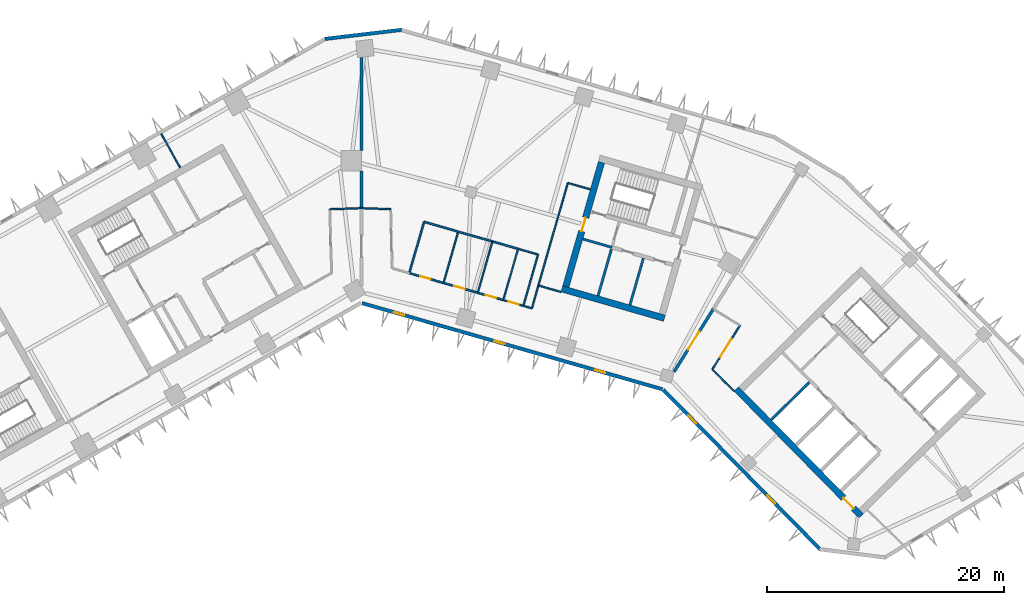
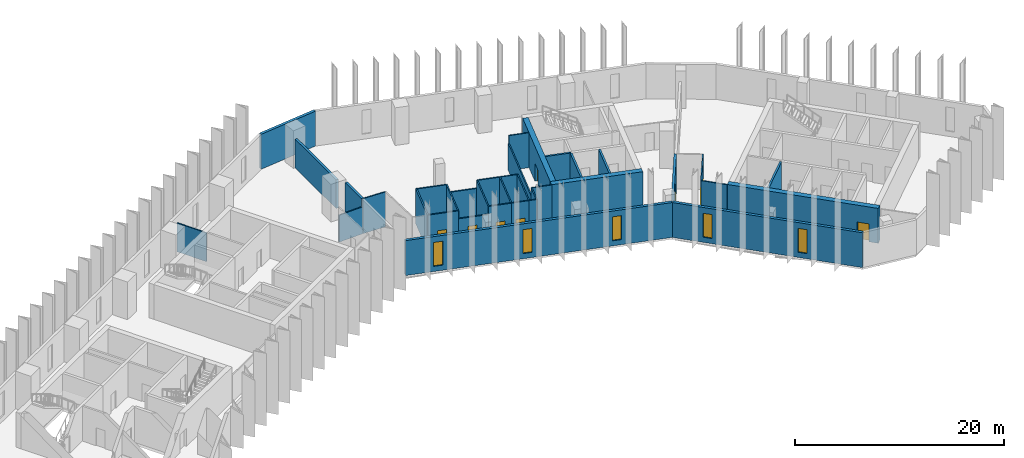
# One storey, part 5 of 11: 36 walls, 8 doors, 5 windows, 13 openings.
"""IFC4 building model written with IfcOpenShell, lengths in metres."""

from ifc_helpers import new_model, si_unit, direction, frame, frame_2d, origin, place, context, subcontext, project, spatial, rectangle, extrude, material, layer, layer_set, type_object, element, fill, save


model = new_model("IFC4")

# Units and contexts
model_context = context("Model", 3, precision=1e-05, world=origin(), true_north=direction((0.0, 1.0)))
body_context = subcontext(model_context, "Body", "Model", "MODEL_VIEW")
ifc_project = project(units=[si_unit("LENGTHUNIT", "METRE"), si_unit("AREAUNIT", "SQUARE_METRE"), si_unit("VOLUMEUNIT", "CUBIC_METRE"), si_unit("PLANEANGLEUNIT", "RADIAN"), si_unit("MASSUNIT", "GRAM", prefix="KILO")], contexts=[model_context])

# Site, building, storey
site_placement = place(None, origin())
site = spatial("IfcSite", under=ifc_project, at=site_placement, CompositionType="ELEMENT")
building_placement = place(site_placement, origin())
building = spatial("IfcBuilding", under=site, at=building_placement, Name="Binnacle Exchange Tower", CompositionType="ELEMENT")
storey_placement = place(building_placement, frame((0.0, 0.0, 132.300048828125)))
storey = spatial("IfcBuildingStorey", under=building, at=storey_placement, Name="L27", CompositionType="ELEMENT", Elevation=132.300048828125)

# Wall
ifc_material_1 = material(Name="Gypsum partition fire rated")
ifc_layer_1 = layer(ifc_material_1, 0.199951171875)
ifc_layer_set_1 = layer_set([ifc_layer_1], Name="Core partition 200")
wall_type_1 = type_object("IfcWallType", Name="Core partition 200", PredefinedType="PARTITIONING", material=ifc_layer_set_1)
wall_1_placement = place(storey_placement, frame((22.65087890625, 47.835205078125, 0.0), z_axis=(0.0, 0.0, 1.0), x_axis=(0.275625388668, 0.961265127383, 0.0)))
element("IfcWall", 1, at=wall_1_placement, inside=storey, type_object=wall_type_1, Name="Core wall CRWD10", PredefinedType="PARTITIONING", context=body_context, shape_type="SweptSolid", body=[
    extrude(rectangle(XDim=4.100341796875, YDim=0.199951171875, at=frame_2d((2.05029296875, 0.0))), origin(), (0.0, 0.0, 1.0), 4.079833984375),
])

# Wall, opening, door
ifc_material_2 = material(Name="Concrete C70/85", Category="concrete")
ifc_layer_2 = layer(ifc_material_2, 0.550048828125)
ifc_layer_set_2 = layer_set([ifc_layer_2], Name="Core wall - outer 550")
wall_type_2 = type_object("IfcWallType", Name="Core wall - outer 550", PredefinedType="SOLIDWALL", material=ifc_layer_set_2)
wall_2_placement = place(storey_placement, frame((31.627685546875, 40.7451171875, 0.0), z_axis=(0.0, 0.0, 1.0), x_axis=(0.700911255944, -0.713248491965, 0.0)))
wall_2 = element("IfcWall", 2, at=wall_2_placement, inside=storey, type_object=wall_type_2, Name="Core wall CRWB1", PredefinedType="SOLIDWALL", context=body_context, shape_type="SweptSolid", body=[
    extrude(rectangle(XDim=15.0, YDim=0.550048828125, at=frame_2d((7.5, 0.0))), origin(), (0.0, 0.0, 1.0), 4.079833984375),
])
opening_1_placement = place(wall_2_placement, frame((12.89990234375, 0.0, 0.0)))
opening_1 = element("IfcOpeningElement", 3, at=opening_1_placement, cuts=wall_2, Name="Opening DB7", PredefinedType="OPENING", context=body_context, shape_type="SweptSolid", body=[
    extrude(rectangle(XDim=1.199951171875, YDim=2.10009765625, at=frame_2d((0.60009765625, 1.050048828125))), frame((0.0, 0.284912109375, 0.0), z_axis=(0.0, -1.0, 0.0), x_axis=(1.0, 0.0, 0.0)), (0.0, 0.0, 1.0), 0.570068359375),
])
ifc_material_3 = material(Name="Steel door leaf", Category="steel")
door_type_1 = type_object("IfcDoorType", Name="Fire door 1200", OperationType="NOTDEFINED", PredefinedType="DOOR", material=ifc_material_3)
door_1_placement = place(opening_1_placement, frame((1.199951171875, 0.0, 0.0), z_axis=(0.0, 0.0, 1.0), x_axis=(-1.0, 0.0, 0.0)))
door_1 = element("IfcDoor", 4, at=door_1_placement, inside=storey, type_object=door_type_1, Name="Lift lobby entrance door core B", OperationType="SINGLE_SWING_LEFT", OverallHeight=2.10009765625, OverallWidth=1.199951171875, PredefinedType="DOOR", context=body_context, shape_type="SweptSolid", body=[
    extrude(rectangle(XDim=1.199951171875, YDim=2.10009765625, at=frame_2d((0.60009765625, 1.050048828125))), frame((0.0, 0.02490234375, 0.0), z_axis=(0.0, -1.0, 0.0), x_axis=(1.0, 0.0, 0.0)), (0.0, 0.0, 1.0), 0.050048828125),
])
fill(opening_1, door_1)

# Wall
wall_3_placement = place(storey_placement, frame((16.90380859375, 49.197265625, 0.0), z_axis=(0.0, 0.0, 1.0), x_axis=(0.96126248289, -0.275634611374, 0.0)))
element("IfcWall", 5, at=wall_3_placement, inside=storey, type_object=wall_type_2, Name="Core wall CRWD1", PredefinedType="SOLIDWALL", context=body_context, shape_type="SweptSolid", body=[
    extrude(rectangle(XDim=9.0, YDim=0.550048828125, at=frame_2d((4.5, 0.0))), origin(), (0.0, 0.0, 1.0), 4.079833984375),
])

# Wall, opening, door
wall_4_placement = place(storey_placement, frame((17.243896484375, 49.3857421875, 0.0), z_axis=(0.0, 0.0, 1.0), x_axis=(0.275632146085, 0.96126318979, 0.0)))
wall_4 = element("IfcWall", 6, at=wall_4_placement, inside=storey, type_object=wall_type_2, Name="Core wall CRWD7", PredefinedType="SOLIDWALL", context=body_context, shape_type="SweptSolid", body=[
    extrude(rectangle(XDim=10.89990234375, YDim=0.550048828125, at=frame_2d((5.449951171875, 0.0))), origin(), (0.0, 0.0, 1.0), 4.079833984375),
])
opening_2_placement = place(wall_4_placement, frame((4.85009765625, 0.0, 0.0)))
opening_2 = element("IfcOpeningElement", 7, at=opening_2_placement, cuts=wall_4, Name="Opening DD5", PredefinedType="OPENING", context=body_context, shape_type="SweptSolid", body=[
    extrude(rectangle(XDim=1.199951171875, YDim=2.10009765625, at=frame_2d((0.60009765625, 1.050048828125))), frame((0.0, 0.284912109375, 0.0), z_axis=(0.0, -1.0, 0.0), x_axis=(1.0, 0.0, 0.0)), (0.0, 0.0, 1.0), 0.570068359375),
])
door_2_placement = place(opening_2_placement, origin())
door_2 = element("IfcDoor", 8, at=door_2_placement, inside=storey, type_object=door_type_1, Name="Vestibule exit door VEST-W", OperationType="SINGLE_SWING_RIGHT", OverallHeight=2.10009765625, OverallWidth=1.199951171875, PredefinedType="DOOR", context=body_context, shape_type="SweptSolid", body=[
    extrude(rectangle(XDim=1.199951171875, YDim=2.10009765625, at=frame_2d((0.60009765625, 1.050048828125))), frame((0.0, 0.02490234375, 0.0), z_axis=(0.0, -1.0, 0.0), x_axis=(1.0, 0.0, 0.0)), (0.0, 0.0, 1.0), 0.050048828125),
])
fill(opening_2, door_2)

# Wall
ifc_material_4 = material(Name="Bronze aluminium cladding", Category="aluminium")
ifc_layer_3 = layer(ifc_material_4, 0.300048828125)
ifc_layer_set_3 = layer_set([ifc_layer_3], Name="External wall - spandrel 300")
wall_type_3 = type_object("IfcWallType", Name="External wall - spandrel 300", PredefinedType="STANDARD", material=ifc_layer_set_3)
wall_5_placement = place(storey_placement, frame((-3.076171875, 70.27294921875, 0.0), z_axis=(0.0, 0.0, 1.0), x_axis=(0.993067743007, 0.117543429416, 0.0)))
element("IfcWall", 9, at=wall_5_placement, inside=storey, type_object=wall_type_3, Name="External wall EW-F02 L27", PredefinedType="STANDARD", context=body_context, shape_type="SweptSolid", body=[
    extrude(rectangle(XDim=6.515625, YDim=0.300048828125, at=frame_2d((3.2578125, 0.0))), origin(), (0.0, 0.0, 1.0), 4.079833984375),
])

# Wall, openings, windows
wall_6_placement = place(storey_placement, frame((25.398193359375, 40.71728515625, 0.0), z_axis=(0.0, 0.0, 1.0), x_axis=(-0.961262423262, 0.275634819324, 0.0)))
wall_6 = element("IfcWall", 10, at=wall_6_placement, inside=storey, type_object=wall_type_3, Name="External wall EW-F08 L27", PredefinedType="STANDARD", context=body_context, shape_type="SweptSolid", body=[
    extrude(rectangle(XDim=26.358642578125, YDim=0.300048828125, at=frame_2d((13.17919921875, 0.0))), origin(), (0.0, 0.0, 1.0), 4.079833984375),
])
opening_3_placement = place(wall_6_placement, frame((22.6640625, 0.0, 0.60009765625)))
opening_3 = element("IfcOpeningElement", 11, at=opening_3_placement, cuts=wall_6, Name="Opening WS2", PredefinedType="OPENING", context=body_context, shape_type="SweptSolid", body=[
    extrude(rectangle(XDim=0.89990234375, YDim=2.800048828125, at=frame_2d((0.449951171875, 1.39990234375))), frame((0.0, 0.159912109375, 0.0), z_axis=(0.0, -1.0, 0.0), x_axis=(1.0, 0.0, 0.0)), (0.0, 0.0, 1.0), 0.320068359375),
])
opening_4_placement = place(wall_6_placement, frame((13.843505859375, 0.0, 0.60009765625)))
opening_4 = element("IfcOpeningElement", 12, at=opening_4_placement, cuts=wall_6, Name="Opening WS2", PredefinedType="OPENING", context=body_context, shape_type="SweptSolid", body=[
    extrude(rectangle(XDim=0.89990234375, YDim=2.800048828125, at=frame_2d((0.449951171875, 1.39990234375))), frame((0.0, 0.159912109375, 0.0), z_axis=(0.0, -1.0, 0.0), x_axis=(1.0, 0.0, 0.0)), (0.0, 0.0, 1.0), 0.320068359375),
])
opening_5_placement = place(wall_6_placement, frame((5.023193359375, 0.0, 0.60009765625)))
opening_5 = element("IfcOpeningElement", 13, at=opening_5_placement, cuts=wall_6, Name="Opening WS2", PredefinedType="OPENING", context=body_context, shape_type="SweptSolid", body=[
    extrude(rectangle(XDim=0.89990234375, YDim=2.800048828125, at=frame_2d((0.449951171875, 1.39990234375))), frame((0.0, 0.159912109375, 0.0), z_axis=(0.0, -1.0, 0.0), x_axis=(1.0, 0.0, 0.0)), (0.0, 0.0, 1.0), 0.320068359375),
])
ifc_material_5 = material(Name="Bronze anodised aluminium frame", Category="aluminium")
window_type = type_object("IfcWindowType", Name="WS2 WINDOW 900x2800", PartitioningType="SINGLE_PANEL", PredefinedType="WINDOW", material=ifc_material_5)
window_1_placement = place(opening_3_placement, origin())
window_1 = element("IfcWindow", 14, at=window_1_placement, inside=storey, type_object=window_type, Name="Window WS2 L27", OverallHeight=2.800048828125, OverallWidth=0.89990234375, PartitioningType="SINGLE_PANEL", PredefinedType="WINDOW", context=body_context, shape_type="SweptSolid", body=[
    extrude(rectangle(XDim=0.89990234375, YDim=2.800048828125, at=frame_2d((0.449951171875, 1.39990234375))), frame((0.0, 0.030029296875, 0.0), z_axis=(0.0, -1.0, 0.0), x_axis=(1.0, 0.0, 0.0)), (0.0, 0.0, 1.0), 0.06005859375),
])
fill(opening_3, window_1)
window_2_placement = place(opening_4_placement, origin())
window_2 = element("IfcWindow", 15, at=window_2_placement, inside=storey, type_object=window_type, Name="Window WS2 L27", OverallHeight=2.800048828125, OverallWidth=0.89990234375, PartitioningType="SINGLE_PANEL", PredefinedType="WINDOW", context=body_context, shape_type="SweptSolid", body=[
    extrude(rectangle(XDim=0.89990234375, YDim=2.800048828125, at=frame_2d((0.449951171875, 1.39990234375))), frame((0.0, 0.030029296875, 0.0), z_axis=(0.0, -1.0, 0.0), x_axis=(1.0, 0.0, 0.0)), (0.0, 0.0, 1.0), 0.06005859375),
])
fill(opening_4, window_2)
window_3_placement = place(opening_5_placement, origin())
window_3 = element("IfcWindow", 16, at=window_3_placement, inside=storey, type_object=window_type, Name="Window WS2 L27", OverallHeight=2.800048828125, OverallWidth=0.89990234375, PartitioningType="SINGLE_PANEL", PredefinedType="WINDOW", context=body_context, shape_type="SweptSolid", body=[
    extrude(rectangle(XDim=0.89990234375, YDim=2.800048828125, at=frame_2d((0.449951171875, 1.39990234375))), frame((0.0, 0.030029296875, 0.0), z_axis=(0.0, -1.0, 0.0), x_axis=(1.0, 0.0, 0.0)), (0.0, 0.0, 1.0), 0.06005859375),
])
fill(opening_5, window_3)

wall_7_placement = place(storey_placement, frame((38.727294921875, 27.18115234375, 0.0), z_axis=(0.0, 0.0, 1.0), x_axis=(-0.700906405975, 0.713253258011, 0.0)))
wall_7 = element("IfcWall", 17, at=wall_7_placement, inside=storey, type_object=wall_type_3, Name="External wall EW-F09 L27", PredefinedType="STANDARD", context=body_context, shape_type="SweptSolid", body=[
    extrude(rectangle(XDim=18.92333984375, YDim=0.300048828125, at=frame_2d((9.461669921875, 0.0))), origin(), (0.0, 0.0, 1.0), 4.079833984375),
])
opening_6_placement = place(wall_7_placement, frame((14.967041015625, 0.0, 0.60009765625)))
opening_6 = element("IfcOpeningElement", 18, at=opening_6_placement, cuts=wall_7, Name="Opening WS2", PredefinedType="OPENING", context=body_context, shape_type="SweptSolid", body=[
    extrude(rectangle(XDim=0.89990234375, YDim=2.800048828125, at=frame_2d((0.449951171875, 1.39990234375))), frame((0.0, 0.159912109375, 0.0), z_axis=(0.0, -1.0, 0.0), x_axis=(1.0, 0.0, 0.0)), (0.0, 0.0, 1.0), 0.320068359375),
])
opening_7_placement = place(wall_7_placement, frame((5.51171875, 0.0, 0.60009765625)))
opening_7 = element("IfcOpeningElement", 19, at=opening_7_placement, cuts=wall_7, Name="Opening WS2", PredefinedType="OPENING", context=body_context, shape_type="SweptSolid", body=[
    extrude(rectangle(XDim=0.89990234375, YDim=2.800048828125, at=frame_2d((0.449951171875, 1.39990234375))), frame((0.0, 0.159912109375, 0.0), z_axis=(0.0, -1.0, 0.0), x_axis=(1.0, 0.0, 0.0)), (0.0, 0.0, 1.0), 0.320068359375),
])
window_4_placement = place(opening_6_placement, origin())
window_4 = element("IfcWindow", 20, at=window_4_placement, inside=storey, type_object=window_type, Name="Window WS2 L27", OverallHeight=2.800048828125, OverallWidth=0.89990234375, PartitioningType="SINGLE_PANEL", PredefinedType="WINDOW", context=body_context, shape_type="SweptSolid", body=[
    extrude(rectangle(XDim=0.89990234375, YDim=2.800048828125, at=frame_2d((0.449951171875, 1.39990234375))), frame((0.0, 0.030029296875, 0.0), z_axis=(0.0, -1.0, 0.0), x_axis=(1.0, 0.0, 0.0)), (0.0, 0.0, 1.0), 0.06005859375),
])
fill(opening_6, window_4)
window_5_placement = place(opening_7_placement, origin())
window_5 = element("IfcWindow", 21, at=window_5_placement, inside=storey, type_object=window_type, Name="Window WS2 L27", OverallHeight=2.800048828125, OverallWidth=0.89990234375, PartitioningType="SINGLE_PANEL", PredefinedType="WINDOW", context=body_context, shape_type="SweptSolid", body=[
    extrude(rectangle(XDim=0.89990234375, YDim=2.800048828125, at=frame_2d((0.449951171875, 1.39990234375))), frame((0.0, 0.030029296875, 0.0), z_axis=(0.0, -1.0, 0.0), x_axis=(1.0, 0.0, 0.0)), (0.0, 0.0, 1.0), 0.06005859375),
])
fill(opening_7, window_5)

# Walls
ifc_material_6 = material(Name="Concrete fire wall C30/37", Category="concrete")
ifc_layer_4 = layer(ifc_material_6, 0.25)
ifc_layer_set_4 = layer_set([ifc_layer_4], Name="Fire wall - compartment 250")
wall_type_4 = type_object("IfcWallType", Name="Fire wall - compartment 250", PredefinedType="PARTITIONING", material=ifc_layer_set_4)
wall_8_placement = place(storey_placement, frame((0.0, 56.0, 0.0), z_axis=(0.0, 0.0, 1.0), x_axis=(0.0, 1.0, 0.0)))
element("IfcWall", 22, at=wall_8_placement, inside=storey, type_object=wall_type_4, Name="Fire Wall W09", PredefinedType="PARTITIONING", context=body_context, shape_type="SweptSolid", body=[
    extrude(rectangle(XDim=3.14990234375, YDim=0.25, at=frame_2d((1.574951171875, 0.0))), origin(), (0.0, 0.0, 1.0), 4.079833984375),
])
wall_9_placement = place(storey_placement, frame((0.0, 60.85009765625, 0.0), z_axis=(0.0, 0.0, 1.0), x_axis=(0.0, 1.0, 0.0)))
element("IfcWall", 23, at=wall_9_placement, inside=storey, type_object=wall_type_4, Name="Fire Wall W11", PredefinedType="PARTITIONING", context=body_context, shape_type="SweptSolid", body=[
    extrude(rectangle(XDim=7.8740234375, YDim=0.25, at=frame_2d((3.93701171875, 0.0))), origin(), (0.0, 0.0, 1.0), 3.35205078125),
])

# Wall, opening, door
wall_10_placement = place(storey_placement, frame((26.373046875, 42.2060546875, 0.0), z_axis=(0.0, 0.0, 1.0), x_axis=(0.52987567935, 0.848075329457, 0.0)))
wall_10 = element("IfcWall", 24, at=wall_10_placement, inside=storey, type_object=wall_type_4, Name="Fire Wall W32", PredefinedType="PARTITIONING", context=body_context, shape_type="SweptSolid", body=[
    extrude(rectangle(XDim=6.231689453125, YDim=0.25, at=frame_2d((3.11572265625, 0.0))), origin(), (0.0, 0.0, 1.0), 4.079833984375),
])
opening_8_placement = place(wall_10_placement, frame((2.199951171875, 0.0, 0.0)))
opening_8 = element("IfcOpeningElement", 25, at=opening_8_placement, cuts=wall_10, Name="Opening DL25-11", PredefinedType="OPENING", context=body_context, shape_type="SweptSolid", body=[
    extrude(rectangle(XDim=1.800048828125, YDim=2.10009765625, at=frame_2d((0.89990234375, 1.050048828125))), frame((0.0, 0.135009765625, 0.0), z_axis=(0.0, -1.0, 0.0), x_axis=(1.0, 0.0, 0.0)), (0.0, 0.0, 1.0), 0.27001953125),
])
door_type_2 = type_object("IfcDoorType", Name="Fire door 1800", OperationType="NOTDEFINED", PredefinedType="DOOR", material=ifc_material_3)
door_3_placement = place(opening_8_placement, origin())
door_3 = element("IfcDoor", 26, at=door_3_placement, inside=storey, type_object=door_type_2, Name="Door DL25-11", OperationType="DOUBLE_DOOR_SINGLE_SWING", OverallHeight=2.10009765625, OverallWidth=1.800048828125, PredefinedType="DOOR", context=body_context, shape_type="SweptSolid", body=[
    extrude(rectangle(XDim=1.800048828125, YDim=2.10009765625, at=frame_2d((0.89990234375, 1.050048828125))), frame((0.0, 0.02490234375, 0.0), z_axis=(0.0, -1.0, 0.0), x_axis=(1.0, 0.0, 0.0)), (0.0, 0.0, 1.0), 0.050048828125),
])
fill(opening_8, door_3)

# Wall
ifc_layer_5 = layer(ifc_material_1, 0.14990234375)
ifc_layer_set_5 = layer_set([ifc_layer_5], Name="Fire-rated partition 150")
wall_type_5 = type_object("IfcWallType", Name="Fire-rated partition 150", PredefinedType="PARTITIONING", material=ifc_layer_set_5)
wall_11_placement = place(storey_placement, frame((4.04296875, 50.51806640625, 0.0), z_axis=(0.0, 0.0, 1.0), x_axis=(0.275745553681, 0.96123066411, 0.0)))
element("IfcWall", 27, at=wall_11_placement, inside=storey, type_object=wall_type_5, Name="Partition W14", PredefinedType="PARTITIONING", context=body_context, shape_type="SweptSolid", body=[
    extrude(rectangle(XDim=4.50048828125, YDim=0.14990234375, at=frame_2d((2.250244140625, 0.0))), origin(), (0.0, 0.0, 1.0), 4.079833984375),
])

# Wall, opening, door
wall_12_placement = place(storey_placement, frame((4.04296875, 50.51806640625, 0.0), z_axis=(0.0, 0.0, 1.0), x_axis=(0.961247103494, -0.275688240636, 0.0)))
wall_12 = element("IfcWall", 28, at=wall_12_placement, inside=storey, type_object=wall_type_5, Name="Partition W15", PredefinedType="PARTITIONING", context=body_context, shape_type="SweptSolid", body=[
    extrude(rectangle(XDim=3.000244140625, YDim=0.14990234375, at=frame_2d((1.5, 0.0))), origin(), (0.0, 0.0, 1.0), 4.079833984375),
])
opening_9_placement = place(wall_12_placement, frame((0.949951171875, 0.0, 0.0)))
opening_9 = element("IfcOpeningElement", 29, at=opening_9_placement, cuts=wall_12, Name="Opening DL25-03", PredefinedType="OPENING", context=body_context, shape_type="SweptSolid", body=[
    extrude(rectangle(XDim=0.89990234375, YDim=2.10009765625, at=frame_2d((0.449951171875, 1.050048828125))), frame((0.0, 0.0849609375, 0.0), z_axis=(0.0, -1.0, 0.0), x_axis=(1.0, 0.0, 0.0)), (0.0, 0.0, 1.0), 0.169921875),
])
door_type_3 = type_object("IfcDoorType", Name="Fire door 900", OperationType="NOTDEFINED", PredefinedType="DOOR", material=ifc_material_3)
door_4_placement = place(opening_9_placement, origin())
door_4 = element("IfcDoor", 30, at=door_4_placement, inside=storey, type_object=door_type_3, Name="Door DL25-03", OperationType="SINGLE_SWING_LEFT", OverallHeight=2.10009765625, OverallWidth=0.89990234375, PredefinedType="DOOR", context=body_context, shape_type="SweptSolid", body=[
    extrude(rectangle(XDim=0.89990234375, YDim=2.10009765625, at=frame_2d((0.449951171875, 1.050048828125))), frame((0.0, 0.02490234375, 0.0), z_axis=(0.0, -1.0, 0.0), x_axis=(1.0, 0.0, 0.0)), (0.0, 0.0, 1.0), 0.050048828125),
])
fill(opening_9, door_4)

# Wall
wall_13_placement = place(storey_placement, frame((5.283935546875, 54.843994140625, 0.0), z_axis=(0.0, 0.0, 1.0), x_axis=(0.961243927922, -0.275699312717, 0.0)))
element("IfcWall", 31, at=wall_13_placement, inside=storey, type_object=wall_type_5, Name="Partition W16", PredefinedType="PARTITIONING", context=body_context, shape_type="SweptSolid", body=[
    extrude(rectangle(XDim=2.999267578125, YDim=0.14990234375, at=frame_2d((1.49951171875, 0.0))), origin(), (0.0, 0.0, 1.0), 4.079833984375),
])

# Wall, opening, door
wall_14_placement = place(storey_placement, frame((6.927001953125, 49.69091796875, 0.0), z_axis=(0.0, 0.0, 1.0), x_axis=(0.961268664977, -0.27561305073, 0.0)))
wall_14 = element("IfcWall", 32, at=wall_14_placement, inside=storey, type_object=wall_type_5, Name="Partition W18", PredefinedType="PARTITIONING", context=body_context, shape_type="SweptSolid", body=[
    extrude(rectangle(XDim=3.000244140625, YDim=0.14990234375, at=frame_2d((1.5, 0.0))), origin(), (0.0, 0.0, 1.0), 3.141845703125),
])
opening_10_placement = place(wall_14_placement, frame((0.949951171875, 0.0, 0.0)))
opening_10 = element("IfcOpeningElement", 33, at=opening_10_placement, cuts=wall_14, Name="Opening DL25-04", PredefinedType="OPENING", context=body_context, shape_type="SweptSolid", body=[
    extrude(rectangle(XDim=0.89990234375, YDim=2.10009765625, at=frame_2d((0.449951171875, 1.050048828125))), frame((0.0, 0.0849609375, 0.0), z_axis=(0.0, -1.0, 0.0), x_axis=(1.0, 0.0, 0.0)), (0.0, 0.0, 1.0), 0.169921875),
])
door_5_placement = place(opening_10_placement, origin())
door_5 = element("IfcDoor", 34, at=door_5_placement, inside=storey, type_object=door_type_3, Name="Door DL25-04", OperationType="SINGLE_SWING_LEFT", OverallHeight=2.10009765625, OverallWidth=0.89990234375, PredefinedType="DOOR", context=body_context, shape_type="SweptSolid", body=[
    extrude(rectangle(XDim=0.89990234375, YDim=2.10009765625, at=frame_2d((0.449951171875, 1.050048828125))), frame((0.0, 0.02490234375, 0.0), z_axis=(0.0, -1.0, 0.0), x_axis=(1.0, 0.0, 0.0)), (0.0, 0.0, 1.0), 0.050048828125),
])
fill(opening_10, door_5)

# Wall
wall_15_placement = place(storey_placement, frame((8.1669921875, 54.01708984375, 0.0), z_axis=(0.0, 0.0, 1.0), x_axis=(0.961247103494, -0.275688240636, 0.0)))
element("IfcWall", 35, at=wall_15_placement, inside=storey, type_object=wall_type_5, Name="Partition W19", PredefinedType="PARTITIONING", context=body_context, shape_type="SweptSolid", body=[
    extrude(rectangle(XDim=3.000244140625, YDim=0.14990234375, at=frame_2d((1.5, 0.0))), origin(), (0.0, 0.0, 1.0), 3.141845703125),
])

# Wall, opening, door
wall_16_placement = place(storey_placement, frame((9.81103515625, 48.864013671875, 0.0), z_axis=(0.0, 0.0, 1.0), x_axis=(0.961236680145, -0.275724581318, 0.0)))
wall_16 = element("IfcWall", 36, at=wall_16_placement, inside=storey, type_object=wall_type_5, Name="Partition W21", PredefinedType="PARTITIONING", context=body_context, shape_type="SweptSolid", body=[
    extrude(rectangle(XDim=2.2490234375, YDim=0.14990234375, at=frame_2d((1.12451171875, 0.0))), origin(), (0.0, 0.0, 1.0), 4.079833984375),
])
opening_11_placement = place(wall_16_placement, frame((0.699951171875, 0.0, 0.0)))
opening_11 = element("IfcOpeningElement", 37, at=opening_11_placement, cuts=wall_16, Name="Opening DL25-05", PredefinedType="OPENING", context=body_context, shape_type="SweptSolid", body=[
    extrude(rectangle(XDim=0.89990234375, YDim=2.10009765625, at=frame_2d((0.449951171875, 1.050048828125))), frame((0.0, 0.0849609375, 0.0), z_axis=(0.0, -1.0, 0.0), x_axis=(1.0, 0.0, 0.0)), (0.0, 0.0, 1.0), 0.169921875),
])
door_6_placement = place(opening_11_placement, origin())
door_6 = element("IfcDoor", 38, at=door_6_placement, inside=storey, type_object=door_type_3, Name="Door DL25-05", OperationType="SINGLE_SWING_RIGHT", OverallHeight=2.10009765625, OverallWidth=0.89990234375, PredefinedType="DOOR", context=body_context, shape_type="SweptSolid", body=[
    extrude(rectangle(XDim=0.89990234375, YDim=2.10009765625, at=frame_2d((0.449951171875, 1.050048828125))), frame((0.0, 0.02490234375, 0.0), z_axis=(0.0, -1.0, 0.0), x_axis=(1.0, 0.0, 0.0)), (0.0, 0.0, 1.0), 0.050048828125),
])
fill(opening_11, door_6)

# Walls
wall_17_placement = place(storey_placement, frame((11.051025390625, 53.18994140625, 0.0), z_axis=(0.0, 0.0, 1.0), x_axis=(0.961306648438, -0.275480539547, 0.0)))
element("IfcWall", 39, at=wall_17_placement, inside=storey, type_object=wall_type_5, Name="Partition W22", PredefinedType="PARTITIONING", context=body_context, shape_type="SweptSolid", body=[
    extrude(rectangle(XDim=2.250244140625, YDim=0.14990234375, at=frame_2d((1.125, 0.0))), origin(), (0.0, 0.0, 1.0), 4.079833984375),
])
ifc_material_7 = material(Name="Gypsum partition")
ifc_layer_6 = layer(ifc_material_7, 0.125)
ifc_layer_set_6 = layer_set([ifc_layer_6], Name="Partition 125")
wall_type_6 = type_object("IfcWallType", Name="Partition 125", PredefinedType="PARTITIONING", material=ifc_layer_set_6)
wall_18_placement = place(storey_placement, frame((-16.87890625, 62.278076171875, 0.0), z_axis=(0.0, 0.0, 1.0), x_axis=(0.486580163018, -0.873635933875, 0.0)))
element("IfcWall", 40, at=wall_18_placement, inside=storey, type_object=wall_type_6, Name="Partition W04", PredefinedType="PARTITIONING", context=body_context, shape_type="SweptSolid", body=[
    extrude(rectangle(XDim=3.29443359375, YDim=0.125, at=frame_2d((1.647216796875, 0.0))), origin(), (0.0, 0.0, 1.0), 3.35986328125),
])
wall_19_placement = place(storey_placement, frame((-2.669921875, 55.904052734375, 0.0), z_axis=(0.0, 0.0, 1.0), x_axis=(0.999354913865, 0.03591317494, 0.0)))
element("IfcWall", 41, at=wall_19_placement, inside=storey, type_object=wall_type_6, Name="Partition W07", PredefinedType="PARTITIONING", context=body_context, shape_type="SweptSolid", body=[
    extrude(rectangle(XDim=2.671630859375, YDim=0.125, at=frame_2d((1.3359375, 0.0))), origin(), (0.0, 0.0, 1.0), 3.141845703125),
])
wall_20_placement = place(storey_placement, frame((0.0, 56.0, 0.0), z_axis=(0.0, 0.0, 1.0), x_axis=(0.999349313684, -0.036068673934, 0.0)))
element("IfcWall", 42, at=wall_20_placement, inside=storey, type_object=wall_type_6, Name="Partition W10", PredefinedType="PARTITIONING", context=body_context, shape_type="SweptSolid", body=[
    extrude(rectangle(XDim=2.470703125, YDim=0.125, at=frame_2d((1.2353515625, 0.0))), origin(), (0.0, 0.0, 1.0), 4.079833984375),
])
wall_21_placement = place(storey_placement, frame((6.927001953125, 49.69091796875, 0.0), z_axis=(0.0, 0.0, 1.0), x_axis=(0.275530671241, 0.961292280841, 0.0)))
element("IfcWall", 43, at=wall_21_placement, inside=storey, type_object=wall_type_6, Name="Partition W17", PredefinedType="PARTITIONING", context=body_context, shape_type="SweptSolid", body=[
    extrude(rectangle(XDim=4.50048828125, YDim=0.125, at=frame_2d((2.250244140625, 0.0))), origin(), (0.0, 0.0, 1.0), 4.079833984375),
])
wall_22_placement = place(storey_placement, frame((9.81103515625, 48.864013671875, 0.0), z_axis=(0.0, 0.0, 1.0), x_axis=(0.275545040649, 0.96128816209, 0.0)))
element("IfcWall", 44, at=wall_22_placement, inside=storey, type_object=wall_type_6, Name="Partition W20", PredefinedType="PARTITIONING", context=body_context, shape_type="SweptSolid", body=[
    extrude(rectangle(XDim=4.500244140625, YDim=0.125, at=frame_2d((2.25, 0.0))), origin(), (0.0, 0.0, 1.0), 4.079833984375),
])
wall_23_placement = place(storey_placement, frame((11.972900390625, 48.243896484375, 0.0), z_axis=(0.0, 0.0, 1.0), x_axis=(0.275781295989, 0.961220410095, 0.0)))
element("IfcWall", 45, at=wall_23_placement, inside=storey, type_object=wall_type_6, Name="Partition W23", PredefinedType="PARTITIONING", context=body_context, shape_type="SweptSolid", body=[
    extrude(rectangle(XDim=4.500732421875, YDim=0.125, at=frame_2d((2.25048828125, 0.0))), origin(), (0.0, 0.0, 1.0), 4.079833984375),
])

# Wall, opening, door
wall_24_placement = place(storey_placement, frame((11.972900390625, 48.243896484375, 0.0), z_axis=(0.0, 0.0, 1.0), x_axis=(0.96136592135, -0.275273618907, 0.0)))
wall_24 = element("IfcWall", 46, at=wall_24_placement, inside=storey, type_object=wall_type_6, Name="Partition W24", PredefinedType="PARTITIONING", context=body_context, shape_type="SweptSolid", body=[
    extrude(rectangle(XDim=1.750732421875, YDim=0.125, at=frame_2d((0.87548828125, 0.0))), origin(), (0.0, 0.0, 1.0), 4.079833984375),
])
opening_12_placement = place(wall_24_placement, frame((0.449951171875, 0.0, 0.0)))
opening_12 = element("IfcOpeningElement", 47, at=opening_12_placement, cuts=wall_24, Name="Opening DL25-06", PredefinedType="OPENING", context=body_context, shape_type="SweptSolid", body=[
    extrude(rectangle(XDim=0.89990234375, YDim=2.10009765625, at=frame_2d((0.449951171875, 1.050048828125))), frame((0.0, 0.072509765625, 0.0), z_axis=(0.0, -1.0, 0.0), x_axis=(1.0, 0.0, 0.0)), (0.0, 0.0, 1.0), 0.14501953125),
])
ifc_material_8 = material(Name="Timber door leaf", Category="wood")
door_type_4 = type_object("IfcDoorType", Name="Door 900", OperationType="NOTDEFINED", PredefinedType="DOOR", material=ifc_material_8)
door_7_placement = place(opening_12_placement, origin())
door_7 = element("IfcDoor", 48, at=door_7_placement, inside=storey, type_object=door_type_4, Name="Door DL25-06", OperationType="SINGLE_SWING_RIGHT", OverallHeight=2.10009765625, OverallWidth=0.89990234375, PredefinedType="DOOR", context=body_context, shape_type="SweptSolid", body=[
    extrude(rectangle(XDim=0.89990234375, YDim=2.10009765625, at=frame_2d((0.449951171875, 1.050048828125))), frame((0.0, 0.02490234375, 0.0), z_axis=(0.0, -1.0, 0.0), x_axis=(1.0, 0.0, 0.0)), (0.0, 0.0, 1.0), 0.050048828125),
])
fill(opening_12, door_7)

# Walls
wall_25_placement = place(storey_placement, frame((13.214111328125, 52.570068359375, 0.0), z_axis=(0.0, 0.0, 1.0), x_axis=(0.961276075309, -0.275587204055, 0.0)))
element("IfcWall", 49, at=wall_25_placement, inside=storey, type_object=wall_type_6, Name="Partition W25", PredefinedType="PARTITIONING", context=body_context, shape_type="SweptSolid", body=[
    extrude(rectangle(XDim=1.749755859375, YDim=0.125, at=frame_2d((0.875, 0.0))), origin(), (0.0, 0.0, 1.0), 4.079833984375),
])
wall_26_placement = place(storey_placement, frame((13.656005859375, 47.761962890625, 0.0), z_axis=(0.0, 0.0, 1.0), x_axis=(0.961154610169, -0.276010534854, 0.0)))
element("IfcWall", 50, at=wall_26_placement, inside=storey, type_object=wall_type_6, Name="Partition W26", PredefinedType="PARTITIONING", context=body_context, shape_type="SweptSolid", body=[
    extrude(rectangle(XDim=0.75, YDim=0.125, at=frame_2d((0.375, 0.0))), origin(), (0.0, 0.0, 1.0), 4.079833984375),
])
wall_27_placement = place(storey_placement, frame((13.656005859375, 47.761962890625, 0.0), z_axis=(0.0, 0.0, 1.0), x_axis=(0.275545040649, 0.96128816209, 0.0)))
element("IfcWall", 51, at=wall_27_placement, inside=storey, type_object=wall_type_6, Name="Partition W27", PredefinedType="PARTITIONING", context=body_context, shape_type="SweptSolid", body=[
    extrude(rectangle(XDim=4.500244140625, YDim=0.125, at=frame_2d((2.25, 0.0))), origin(), (0.0, 0.0, 1.0), 4.079833984375),
])
wall_28_placement = place(storey_placement, frame((14.376953125, 47.554931640625, 0.0), z_axis=(0.0, 0.0, 1.0), x_axis=(0.275446387355, 0.961316434736, 0.0)))
element("IfcWall", 52, at=wall_28_placement, inside=storey, type_object=wall_type_6, Name="Partition W28", PredefinedType="PARTITIONING", context=body_context, shape_type="SweptSolid", body=[
    extrude(rectangle(XDim=2.00048828125, YDim=0.125, at=frame_2d((1.000244140625, 0.0))), origin(), (0.0, 0.0, 1.0), 4.079833984375),
])
wall_29_placement = place(storey_placement, frame((14.927978515625, 49.47802734375, 0.0), z_axis=(0.0, 0.0, 1.0), x_axis=(0.961243778232, -0.27569983462, 0.0)))
element("IfcWall", 53, at=wall_29_placement, inside=storey, type_object=wall_type_6, Name="Partition W29", PredefinedType="PARTITIONING", context=body_context, shape_type="SweptSolid", body=[
    extrude(rectangle(XDim=1.9765625, YDim=0.125, at=frame_2d((0.98828125, 0.0))), origin(), (0.0, 0.0, 1.0), 4.079833984375),
])
wall_30_placement = place(storey_placement, frame((14.927978515625, 49.47802734375, 0.0), z_axis=(0.0, 0.0, 1.0), x_axis=(0.275674053528, 0.961251172281, 0.0)))
element("IfcWall", 54, at=wall_30_placement, inside=storey, type_object=wall_type_6, Name="Partition W30", PredefinedType="PARTITIONING", context=body_context, shape_type="SweptSolid", body=[
    extrude(rectangle(XDim=8.99951171875, YDim=0.125, at=frame_2d((4.499755859375, 0.0))), origin(), (0.0, 0.0, 1.0), 3.141845703125),
])
wall_31_placement = place(storey_placement, frame((17.408935546875, 58.12890625, 0.0), z_axis=(0.0, 0.0, 1.0), x_axis=(0.961253165474, -0.275667103345, 0.0)))
element("IfcWall", 55, at=wall_31_placement, inside=storey, type_object=wall_type_6, Name="Partition W31", PredefinedType="PARTITIONING", context=body_context, shape_type="SweptSolid", body=[
    extrude(rectangle(XDim=1.976806640625, YDim=0.125, at=frame_2d((0.98828125, 0.0))), origin(), (0.0, 0.0, 1.0), 4.079833984375),
])
wall_32_placement = place(storey_placement, frame((29.60009765625, 42.416015625, 0.0), z_axis=(0.0, 0.0, 1.0), x_axis=(0.700914320664, -0.713245480244, 0.0)))
element("IfcWall", 56, at=wall_32_placement, inside=storey, type_object=wall_type_6, Name="Partition W35", PredefinedType="PARTITIONING", context=body_context, shape_type="SweptSolid", body=[
    extrude(rectangle(XDim=2.613525390625, YDim=0.125, at=frame_2d((1.306640625, 0.0))), origin(), (0.0, 0.0, 1.0), 4.079833984375),
])

# Wall, opening, door
wall_33_placement = place(storey_placement, frame((29.60009765625, 42.416015625, 0.0), z_axis=(0.0, 0.0, 1.0), x_axis=(0.533582711531, 0.84574788794, 0.0)))
wall_33 = element("IfcWall", 57, at=wall_33_placement, inside=storey, type_object=wall_type_6, Name="Partition W36", PredefinedType="PARTITIONING", context=body_context, shape_type="SweptSolid", body=[
    extrude(rectangle(XDim=4.366455078125, YDim=0.125, at=frame_2d((2.18310546875, 0.0))), origin(), (0.0, 0.0, 1.0), 4.079833984375),
])
opening_13_placement = place(wall_33_placement, frame((1.199951171875, 0.0, 0.0)))
opening_13 = element("IfcOpeningElement", 58, at=opening_13_placement, cuts=wall_33, Name="Opening DL25-09", PredefinedType="OPENING", context=body_context, shape_type="SweptSolid", body=[
    extrude(rectangle(XDim=1.800048828125, YDim=2.10009765625, at=frame_2d((0.89990234375, 1.050048828125))), frame((0.0, 0.072509765625, 0.0), z_axis=(0.0, -1.0, 0.0), x_axis=(1.0, 0.0, 0.0)), (0.0, 0.0, 1.0), 0.14501953125),
])
door_type_5 = type_object("IfcDoorType", Name="Double door 1800", OperationType="NOTDEFINED", PredefinedType="DOOR", material=ifc_material_8)
door_8_placement = place(opening_13_placement, frame((1.800048828125, 0.0, 0.0), z_axis=(0.0, 0.0, 1.0), x_axis=(-1.0, 0.0, 0.0)))
door_8 = element("IfcDoor", 59, at=door_8_placement, inside=storey, type_object=door_type_5, Name="Door DL25-09", OperationType="DOUBLE_DOOR_SINGLE_SWING", OverallHeight=2.10009765625, OverallWidth=1.800048828125, PredefinedType="DOOR", context=body_context, shape_type="SweptSolid", body=[
    extrude(rectangle(XDim=1.800048828125, YDim=2.10009765625, at=frame_2d((0.89990234375, 1.050048828125))), frame((0.0, 0.02490234375, 0.0), z_axis=(0.0, -1.0, 0.0), x_axis=(1.0, 0.0, 0.0)), (0.0, 0.0, 1.0), 0.050048828125),
])
fill(opening_13, door_8)

# Walls
ifc_material_9 = material(Name="Masonry block wall", Category="masonry")
ifc_layer_7 = layer(ifc_material_9, 0.199951171875)
ifc_layer_set_7 = layer_set([ifc_layer_7], Name="Riser wall 200")
wall_type_7 = type_object("IfcWallType", Name="Riser wall 200", PredefinedType="SOLIDWALL", material=ifc_layer_set_7)
wall_34_placement = place(storey_placement, frame((34.5576171875, 38.15625, 0.0), z_axis=(0.0, 0.0, 1.0), x_axis=(0.713237924006, 0.700922009755, 0.0)))
element("IfcWall", 60, at=wall_34_placement, inside=storey, type_object=wall_type_7, Name="Core wall CRWB9", PredefinedType="SOLIDWALL", context=body_context, shape_type="SweptSolid", body=[
    extrude(rectangle(XDim=4.499755859375, YDim=0.199951171875, at=frame_2d((2.25, 0.0))), origin(), (0.0, 0.0, 1.0), 4.079833984375),
])
wall_35_placement = place(storey_placement, frame((18.6796875, 53.3955078125, 0.0), z_axis=(0.0, 0.0, 1.0), x_axis=(0.961234387647, -0.275732573349, 0.0)))
element("IfcWall", 61, at=wall_35_placement, inside=storey, type_object=wall_type_7, Name="Core wall CRWD2", PredefinedType="SOLIDWALL", context=body_context, shape_type="SweptSolid", body=[
    extrude(rectangle(XDim=2.550048828125, YDim=0.199951171875, at=frame_2d((1.27490234375, 0.0))), origin(), (0.0, 0.0, 1.0), 4.079833984375),
])
wall_36_placement = place(storey_placement, frame((19.95947265625, 48.607177734375, 0.0), z_axis=(0.0, 0.0, 1.0), x_axis=(0.275641165445, 0.961260603537, 0.0)))
element("IfcWall", 62, at=wall_36_placement, inside=storey, type_object=wall_type_7, Name="Core wall CRWD8", PredefinedType="SOLIDWALL", context=body_context, shape_type="SweptSolid", body=[
    extrude(rectangle(XDim=4.10009765625, YDim=0.199951171875, at=frame_2d((2.050048828125, 0.0))), origin(), (0.0, 0.0, 1.0), 4.079833984375),
])

save(model, "model.ifc")
